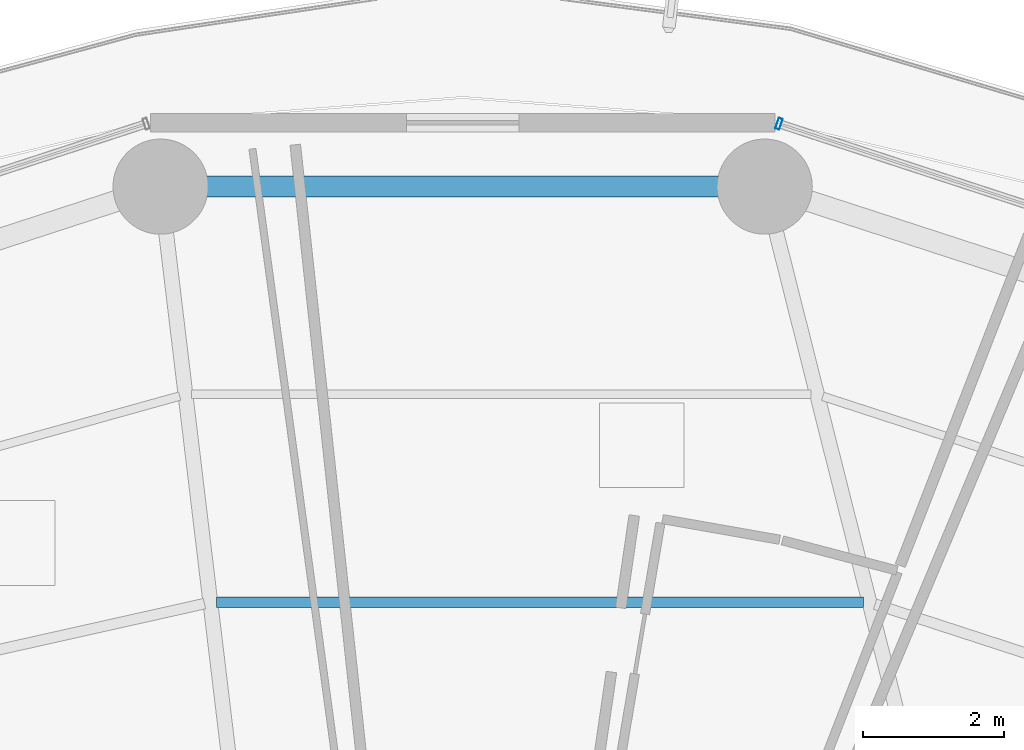
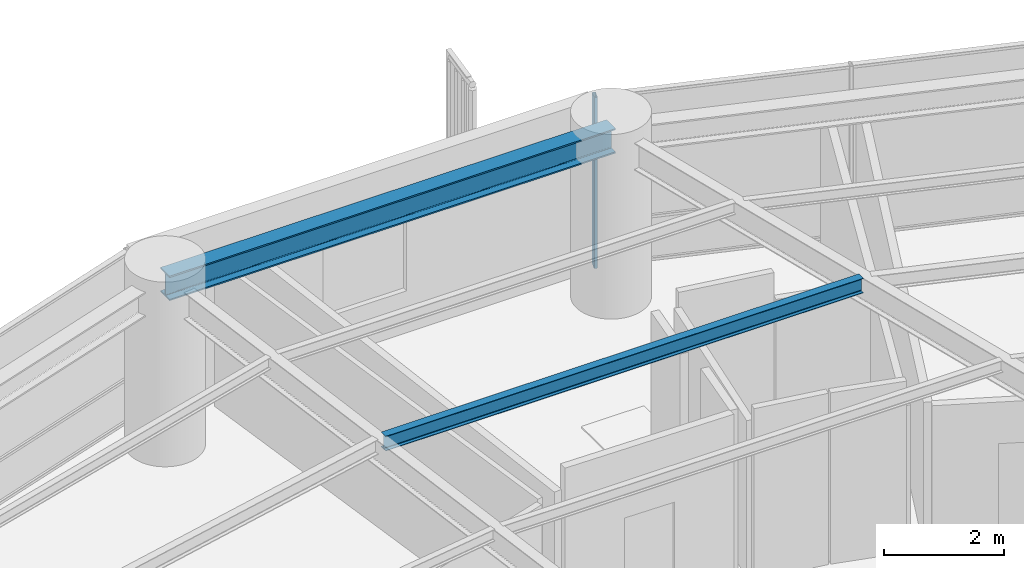
# One storey, part 23 of 37: 2 beams, 1 member, 1 element without a shape of its own.
"""IFC4 building model written with IfcOpenShell, lengths in metres."""

import ifcopenshell
import ifcopenshell.guid

model = None  # the IFC model being written
_history = None  # IfcOwnerHistory: only IFC2X3 demands one
_inside = {}  # id of a spatial element -> (the spatial element, [elements in it])
_under = {}  # id of a project, library or spatial element -> (it, [spatial elements below it])
_declared = {}  # id of a project -> (the project, [libraries it declares])
_typed = {}  # id of a type object -> (the type object, [elements of that type])
_made_of = {}  # id of a material, layer set ... -> (it, [elements and type objects made of it])


def new_model(schema):
    """Start an empty IFC model of exactly this schema.

    Asked for "IFC4X3", IfcOpenShell would pick the latest addendum, in which some entities
    have other attributes; the version numbers below select the first issue.
    IFC2X3 requires an IfcOwnerHistory on every rooted entity: one is made here for all.
    """
    global model, _history
    if schema == "IFC4X3":
        model = ifcopenshell.file(schema_version=(4, 3, 0, 0))
    else:
        model = ifcopenshell.file(schema=schema)
    _inside.clear()
    _under.clear()
    _declared.clear()
    _typed.clear()
    _made_of.clear()
    _history = None
    if model.schema == "IFC2X3":
        org = make("IfcOrganization", Name="unknown")
        user = make(
            "IfcPersonAndOrganization",
            ThePerson=make("IfcPerson", FamilyName="unknown"),
            TheOrganization=org,
        )
        app = make(
            "IfcApplication",
            ApplicationDeveloper=org,
            Version="unknown",
            ApplicationFullName="unknown",
            ApplicationIdentifier="unknown",
        )
        _history = make(
            "IfcOwnerHistory",
            OwningUser=user,
            OwningApplication=app,
            ChangeAction="ADDED",
            CreationDate=0,
        )
    return model


def make(cls, **values):
    """One entity of the class cls with the attributes given. An attribute that is None is left unset."""
    return model.create_entity(
        cls, **{name: value for name, value in values.items() if value is not None}
    )


def rooted(cls, **values):
    """An entity with a GlobalId (a new one), such as an element, a storey or a relation."""
    return make(cls, GlobalId=ifcopenshell.guid.new(), OwnerHistory=_history, **values)


def si_unit(unit_type, name, prefix=None):
    """IfcSIUnit, for example si_unit("LENGTHUNIT", "METRE", prefix="MILLI")."""
    return make("IfcSIUnit", UnitType=unit_type, Prefix=prefix, Name=name)


def assignment(units):
    """IfcUnitAssignment: the units of a project."""
    return None if units is None else make("IfcUnitAssignment", Units=units)


def point(xyz):
    """IfcCartesianPoint."""
    return None if xyz is None else make("IfcCartesianPoint", Coordinates=xyz)


def direction(xyz):
    """IfcDirection."""
    return None if xyz is None else make("IfcDirection", DirectionRatios=xyz)


def frame(location, z_axis=None, x_axis=None):
    """IfcAxis2Placement3D, a coordinate frame: its origin and axes. An axis left out is left unset."""
    return make(
        "IfcAxis2Placement3D",
        Location=point(location),
        Axis=direction(z_axis),
        RefDirection=direction(x_axis),
    )


def frame_2d(location, x_axis=None):
    """IfcAxis2Placement2D, a coordinate frame in the plane: its origin and x axis."""
    return make(
        "IfcAxis2Placement2D", Location=point(location), RefDirection=direction(x_axis)
    )


def origin():
    """The frame at (0, 0, 0) with its axes left unset."""
    return frame((0.0, 0.0, 0.0))


def origin_2d():
    """The frame at (0, 0) in the plane with its x axis left unset."""
    return frame_2d((0.0, 0.0))


def place(relative_to, where):
    """IfcLocalPlacement: puts the frame where relative to a parent placement (None: the world)."""
    return make(
        "IfcLocalPlacement", PlacementRelTo=relative_to, RelativePlacement=where
    )


def context(
    kind, dimensions, precision=None, world=None, true_north=None, identifier=None
):
    """IfcGeometricRepresentationContext, for example the 3D "Model" context."""
    return make(
        "IfcGeometricRepresentationContext",
        ContextIdentifier=identifier,
        ContextType=kind,
        CoordinateSpaceDimension=dimensions,
        Precision=precision,
        WorldCoordinateSystem=world,
        TrueNorth=true_north,
    )


def subcontext(parent, identifier, kind, view, scale=None):
    """IfcGeometricRepresentationSubContext, for example "Body" below "Model"."""
    return make(
        "IfcGeometricRepresentationSubContext",
        ContextIdentifier=identifier,
        ContextType=kind,
        ParentContext=parent,
        TargetScale=scale,
        TargetView=view,
    )


def project(units=None, contexts=None):
    """IfcProject with its units and contexts."""
    return rooted(
        "IfcProject",
        Name="project",
        RepresentationContexts=contexts,
        UnitsInContext=assignment(units),
    )


def spatial(cls, under=None, at=None, **own):
    """A site, building, storey or space (cls), placed at a placement, below another one or the project."""
    s = rooted(cls, ObjectPlacement=at, **own)
    if under is not None:
        _under.setdefault(under.id(), (under, []))[1].append(s)
    return s


def profile(cls, at=None, kind="AREA", **sizes):
    """A parametric profile (cls). Its sizes go by their IFC names, for example OverallWidth=200.0."""
    return make(cls, ProfileType=kind, Position=at, **sizes)


def hollow_rectangle(**sizes):
    """IfcRectangleHollowProfileDef."""
    return profile("IfcRectangleHollowProfileDef", **sizes)


def i_section(**sizes):
    """IfcIShapeProfileDef."""
    return profile("IfcIShapeProfileDef", **sizes)


def extrude(swept, where, along, depth):
    """IfcExtrudedAreaSolid: the profile swept, set in the frame where, extruded along a direction by depth."""
    return make(
        "IfcExtrudedAreaSolid",
        SweptArea=swept,
        Position=where,
        ExtrudedDirection=direction(along),
        Depth=depth,
    )


def shape(context_of_items, identifier, shape_type, items):
    """IfcShapeRepresentation: the items that make up one representation, for example the "Body"."""
    return make(
        "IfcShapeRepresentation",
        ContextOfItems=context_of_items,
        RepresentationIdentifier=identifier,
        RepresentationType=shape_type,
        Items=items,
    )


def material(Name=None, Category=None):
    """IfcMaterial."""
    return make("IfcMaterial", Name=Name, Category=Category)


def layer(
    of_material, thickness, ventilated=None, Name=None, Category=None, Priority=None
):
    """IfcMaterialLayer: one layer of a wall or slab, of a material (None: an air gap)."""
    return make(
        "IfcMaterialLayer",
        Material=of_material,
        LayerThickness=thickness,
        IsVentilated=ventilated,
        Name=Name,
        Category=Category,
        Priority=Priority,
    )


def layer_set(layers, Name=None):
    """IfcMaterialLayerSet."""
    return make("IfcMaterialLayerSet", MaterialLayers=layers, LayerSetName=Name)


def material_profile(
    of_material, cross_section, Name=None, Category=None, Priority=None
):
    """IfcMaterialProfile: a cross section and its material."""
    return make(
        "IfcMaterialProfile",
        Name=Name,
        Material=of_material,
        Profile=cross_section,
        Priority=Priority,
        Category=Category,
    )


def profile_set(profiles, Name=None, composite=None):
    """IfcMaterialProfileSet."""
    return make(
        "IfcMaterialProfileSet",
        Name=Name,
        MaterialProfiles=profiles,
        CompositeProfile=composite,
    )


def made_of(thing, what):
    """Note that an element or type object is made of a material, layer set ...; save() writes the relation."""
    if what is not None:
        _made_of.setdefault(what.id(), (what, []))[1].append(thing)
    return thing


def type_object(cls, material=None, **own):
    """A type object (cls), such as IfcWallType, which elements share."""
    return made_of(rooted(cls, **own), material)


def element(
    cls,
    number,
    at=None,
    inside=None,
    cuts=None,
    type_object=None,
    material=None,
    context=None,
    identifier="Body",
    shape_type=None,
    held_by="IfcProductDefinitionShape",
    body=None,
    shapes=None,
    **own,
):
    """One element of the class cls, such as IfcWall. Its Tag is "e" and its number.

    at: its placement. inside: the storey or other place that contains it. cuts: it is an
    opening in that element (IfcRelVoidsElement). A single representation is given by context,
    identifier, shape_type and body (its items); several are given by shapes. held_by: the class
    of the entity that holds the representations. save() writes the other relations.
    """
    e = rooted(cls, Tag="e%d" % number, ObjectPlacement=at, **own)
    if body is not None:
        shapes = [shape(context, identifier, shape_type, body)]
    if shapes is not None:
        e.Representation = make(held_by, Representations=shapes)
    if inside is not None:
        _inside.setdefault(inside.id(), (inside, []))[1].append(e)
    if cuts is not None:
        rooted(
            "IfcRelVoidsElement", RelatingBuildingElement=cuts, RelatedOpeningElement=e
        )
    if type_object is not None:
        _typed.setdefault(type_object.id(), (type_object, []))[1].append(e)
    return made_of(e, material)


def aggregate(whole, parts):
    """IfcRelAggregates: a whole, such as a stair, and the parts it consists of."""
    return rooted("IfcRelAggregates", RelatingObject=whole, RelatedObjects=parts)


def save(model, path):
    """Write the relations noted so far, then the file.

    IfcRelAggregates (storeys below a building ...), IfcRelContainedInSpatialStructure (elements
    in a storey), IfcRelDefinesByType, IfcRelAssociatesMaterial and IfcRelDeclares: one each for
    every whole, place, type object, material and project.
    """
    for whole, parts in _under.values():
        aggregate(whole, parts)
    for where, things in _inside.values():
        rooted(
            "IfcRelContainedInSpatialStructure",
            RelatedElements=things,
            RelatingStructure=where,
        )
    for kind, things in _typed.values():
        rooted("IfcRelDefinesByType", RelatedObjects=things, RelatingType=kind)
    for what, things in _made_of.values():
        rooted("IfcRelAssociatesMaterial", RelatedObjects=things, RelatingMaterial=what)
    for by, libraries in _declared.values():
        rooted("IfcRelDeclares", RelatingContext=by, RelatedDefinitions=libraries)
    model.write(path)


model = new_model("IFC4")

# Units and contexts
model_context = context("Model", 3, precision=1e-05, world=origin(), true_north=direction((0.0, 1.0)))
body_context = subcontext(model_context, "Body", "Model", "MODEL_VIEW")
ifc_project = project(units=[si_unit("LENGTHUNIT", "METRE"), si_unit("AREAUNIT", "SQUARE_METRE"), si_unit("VOLUMEUNIT", "CUBIC_METRE"), si_unit("PLANEANGLEUNIT", "RADIAN"), si_unit("MASSUNIT", "GRAM", prefix="KILO")], contexts=[model_context])

# Site, building, storey
site_placement = place(None, origin())
site = spatial("IfcSite", under=ifc_project, at=site_placement, CompositionType="ELEMENT")
building_placement = place(site_placement, origin())
building = spatial("IfcBuilding", under=site, at=building_placement, Name="Kelanora Arch Commons", CompositionType="ELEMENT")
storey_placement = place(building_placement, frame((0.0, 0.0, 113.85009765625)))
storey = spatial("IfcBuildingStorey", under=building, at=storey_placement, Name="L29", CompositionType="ELEMENT", Elevation=113.85009765625)

# Beams
ifc_material_1 = material(Name="Steel S355", Category="steel")
ifc_material_profile_1 = material_profile(ifc_material_1, i_section(OverallWidth=0.14990234375, OverallDepth=0.300048828125, WebThickness=0.007080078125, FlangeThickness=0.0107421875, FilletRadius=0.014892578125, at=origin_2d()), Name="IPE300")
ifc_profile_set_1 = profile_set([ifc_material_profile_1], Name="Steel S355")
beam_type_1 = type_object("IfcBeamType", Name="BM-JST-01", PredefinedType="JOIST", material=ifc_profile_set_1)
beam_1_placement = place(storey_placement, frame((79.686279296875, 73.8466796875, 3.33984375), z_axis=(-1.0, 0.0, 0.0), x_axis=(0.0, -1.0, 0.0)))
element("IfcBeam", 1, at=beam_1_placement, inside=storey, type_object=beam_type_1, Name="Secondary Chord Joist BJB-08 L29", PredefinedType="JOIST", context=body_context, shape_type="SweptSolid", body=[
    extrude(i_section(OverallWidth=0.14990234375, OverallDepth=0.300048828125, WebThickness=0.007080078125, FlangeThickness=0.0107421875, FilletRadius=0.014892578125, at=origin_2d()), origin(), (0.0, 0.0, 1.0), 9.1806640625),
])
ifc_material_profile_2 = material_profile(ifc_material_1, i_section(OverallWidth=0.300048828125, OverallDepth=0.5, WebThickness=0.014404296875, FlangeThickness=0.028076171875, FilletRadius=0.027099609375, at=origin_2d()), Name="HEB500")
ifc_profile_set_2 = profile_set([ifc_material_profile_2], Name="Steel S355")
beam_type_2 = type_object("IfcBeamType", Name="BM-SPN-Z2", PredefinedType="SPANDREL", material=ifc_profile_set_2)
beam_2_placement = place(storey_placement, frame((78.28564453125, 79.74462890625, 3.239990234375), z_axis=(-1.0, 0.0, 0.0), x_axis=(0.0, -1.0, 0.0)))
element("IfcBeam", 2, at=beam_2_placement, inside=storey, type_object=beam_type_2, Name="Perimeter Spandrel Beam BS-08 L29", PredefinedType="SPANDREL", context=body_context, shape_type="SweptSolid", body=[
    extrude(i_section(OverallWidth=0.300048828125, OverallDepth=0.5, WebThickness=0.014404296875, FlangeThickness=0.028076171875, FilletRadius=0.027099609375, at=origin_2d()), origin(), (0.0, 0.0, 1.0), 8.5712890625),
])

# Curtain wall, member
ifc_material_2 = material(Name="Terracotta ceramic-fritted low-E glass and aluminium", Category="masonry")
ifc_layer = layer(ifc_material_2, 0.159912109375)
ifc_layer_set = layer_set([ifc_layer], Name="Terracotta ceramic-fritted low-E glass and aluminium")
curtain_wall_type = type_object("IfcCurtainWallType", Name="CW-SYS-01", PredefinedType="NOTDEFINED", material=ifc_layer_set)
curtain_wall_placement = place(storey_placement, origin())
curtain_wall = element("IfcCurtainWall", 3, at=curtain_wall_placement, inside=storey, type_object=curtain_wall_type, Name="Unitised Curtain Wall L29-B03", PredefinedType="NOTDEFINED")
ifc_material_3 = material(Name="Powder-coated aluminium terracotta", Category="masonry")
ifc_material_profile_3 = material_profile(ifc_material_3, hollow_rectangle(XDim=0.159912109375, YDim=0.06005859375, WallThickness=0.0048828125, InnerFilletRadius=0.0048828125, OuterFilletRadius=0.010009765625, at=origin_2d()), Name="CWM160x60")
ifc_profile_set_3 = profile_set([ifc_material_profile_3], Name="Powder-coated aluminium terracotta")
member_type = type_object("IfcMemberType", Name="CWM-STD", PredefinedType="MULLION", material=ifc_profile_set_3)
member_placement = place(storey_placement, frame((78.48828125, 80.636474609375, 0.0), z_axis=(0.0, 0.0, 1.0), x_axis=(-0.31080470294, -0.950473795867, 0.0)))
member = element("IfcMember", 4, at=member_placement, type_object=member_type, Name="CW-01 mullion 3", PredefinedType="MULLION", context=body_context, shape_type="SweptSolid", body=[
    extrude(hollow_rectangle(XDim=0.159912109375, YDim=0.06005859375, WallThickness=0.0048828125, InnerFilletRadius=0.0048828125, OuterFilletRadius=0.010009765625, at=origin_2d()), origin(), (0.0, 0.0, 1.0), 3.474853515625),
])
aggregate(curtain_wall, [member])

save(model, "model.ifc")
